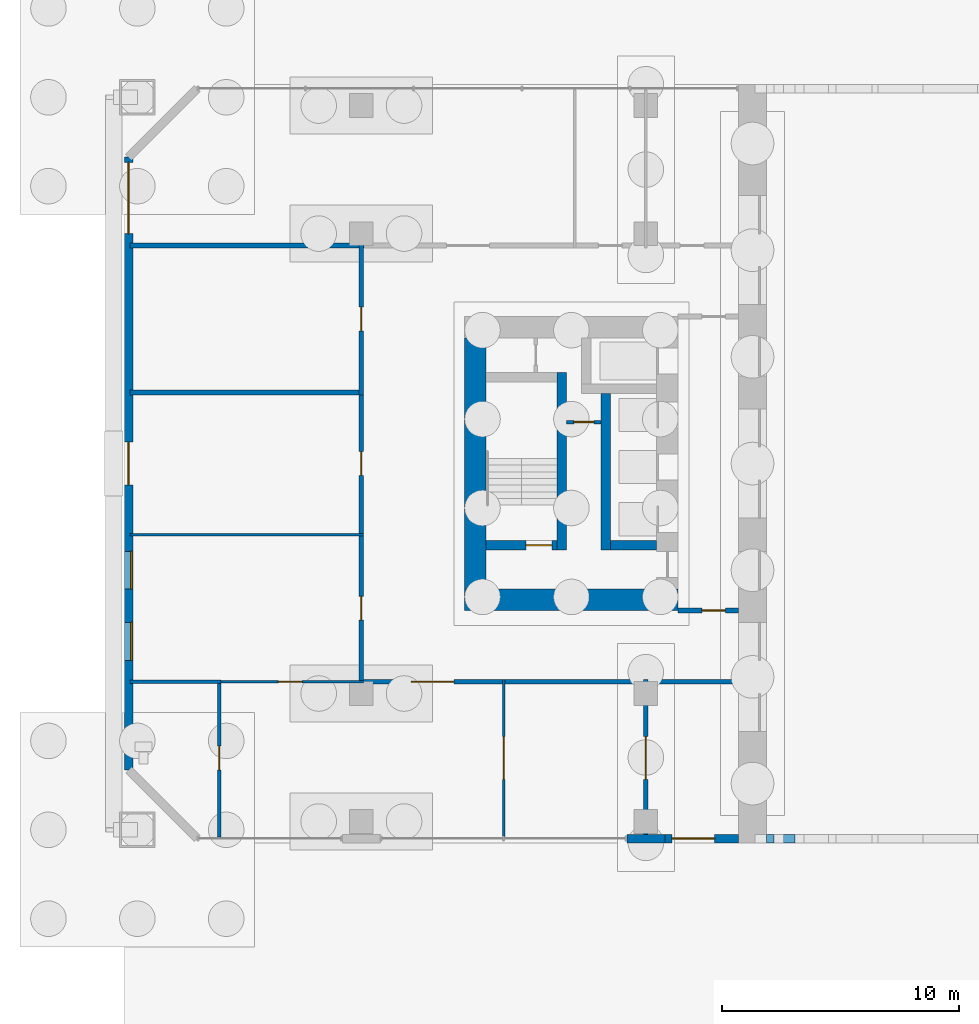
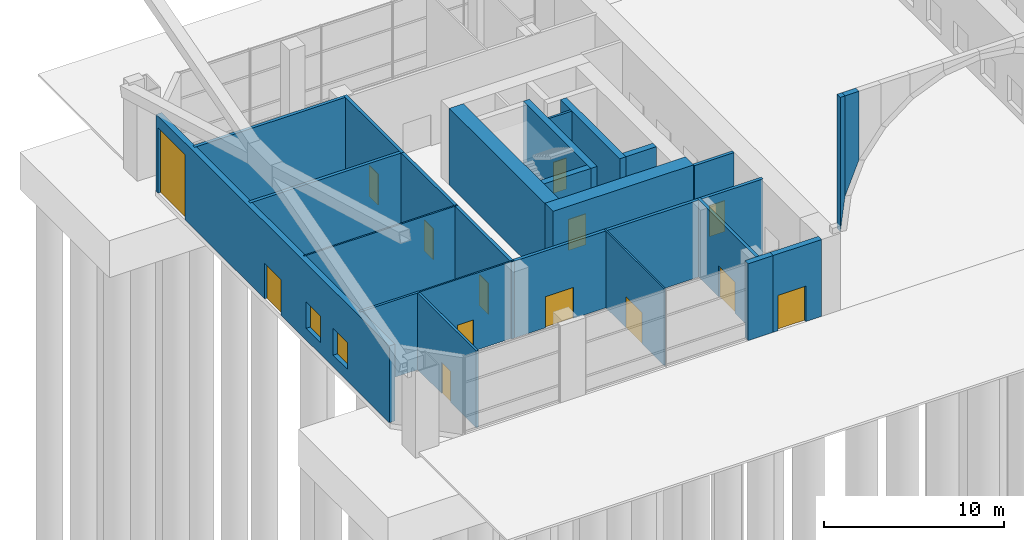
# One storey, part 13 of 26: 24 walls, 14 doors, 2 windows, 16 openings.
"""IFC4 building model written with IfcOpenShell, lengths in metres."""

from ifc_helpers import new_model, si_unit, direction, frame, frame_2d, origin, place, context, subcontext, project, spatial, polyline, rectangle, outline, extrude, material, layer, layer_set, type_object, element, fill, save


model = new_model("IFC4")

# Units and contexts
model_context = context("Model", 3, precision=1e-05, world=origin(), true_north=direction((0.0, 1.0)))
body_context = subcontext(model_context, "Body", "Model", "MODEL_VIEW")
ifc_project = project(units=[si_unit("LENGTHUNIT", "METRE"), si_unit("AREAUNIT", "SQUARE_METRE"), si_unit("VOLUMEUNIT", "CUBIC_METRE"), si_unit("PLANEANGLEUNIT", "RADIAN"), si_unit("MASSUNIT", "GRAM", prefix="KILO")], contexts=[model_context])

# Site, building, storey
site_placement = place(None, origin())
site = spatial("IfcSite", under=ifc_project, at=site_placement, CompositionType="ELEMENT")
building_placement = place(site_placement, origin())
building = spatial("IfcBuilding", under=site, at=building_placement, Name="Tuart Gate Housing", CompositionType="ELEMENT")
storey_placement = place(building_placement, origin())
storey = spatial("IfcBuildingStorey", under=building, at=storey_placement, Name="L00", CompositionType="ELEMENT", Elevation=0.0)

# Wall
ifc_material_1 = material(Name="Gypsum board on steel studs", Category="steel")
ifc_layer_1 = layer(ifc_material_1, 0.14990234375)
ifc_layer_set_1 = layer_set([ifc_layer_1], Name="Bathroom wall 150")
wall_type_1 = type_object("IfcWallType", Name="Bathroom wall 150", PredefinedType="PLUMBINGWALL", material=ifc_layer_set_1)
wall_1_placement = place(storey_placement, frame((18.239990234375, 60.800048828125, 0.0), z_axis=(0.0, 0.0, 1.0), x_axis=(1.0, 0.0, 0.0)))
element("IfcWall", 1, at=wall_1_placement, inside=storey, type_object=wall_type_1, Name="Bathroom wall 150", PredefinedType="PLUMBINGWALL", context=body_context, shape_type="SweptSolid", body=[
    extrude(rectangle(XDim=3.8369140625, YDim=0.14990234375, at=frame_2d((1.91845703125, 0.0))), origin(), (0.0, 0.0, 1.0), 5.199951171875),
])

# Wall, opening, door
wall_2_placement = place(storey_placement, frame((22.0, 54.239990234375, 0.0), z_axis=(0.0, 0.0, 1.0), x_axis=(0.0, 1.0, 0.0)))
wall_2 = element("IfcWall", 2, at=wall_2_placement, inside=storey, type_object=wall_type_1, Name="Bathroom wall 150", PredefinedType="PLUMBINGWALL", context=body_context, shape_type="SweptSolid", body=[
    extrude(rectangle(XDim=6.635009765625, YDim=0.14990234375, at=frame_2d((3.3173828125, 0.0))), origin(), (0.0, 0.0, 1.0), 5.199951171875),
])
opening_1_placement = place(wall_2_placement, frame((2.840087890625, 0.0, 0.0)))
opening_1 = element("IfcOpeningElement", 3, at=opening_1_placement, cuts=wall_2, Name="Opening D2745", PredefinedType="OPENING", context=body_context, shape_type="SweptSolid", body=[
    extrude(rectangle(XDim=1.0, YDim=2.10009765625, at=frame_2d((0.5, 1.050048828125))), frame((0.0, 0.0849609375, 0.0), z_axis=(0.0, -1.0, 0.0), x_axis=(1.0, 0.0, 0.0)), (0.0, 0.0, 1.0), 0.169921875),
])
ifc_material_2 = material(Name="Timber door leaf in steel frame", Category="steel")
door_type_1 = type_object("IfcDoorType", Name="Internal door 1000 RH", OperationType="SINGLE_SWING_RIGHT", PredefinedType="DOOR", material=ifc_material_2)
door_1_placement = place(opening_1_placement, origin())
door_1 = element("IfcDoor", 4, at=door_1_placement, inside=storey, type_object=door_type_1, Name="Internal door 1000", OperationType="SINGLE_SWING_RIGHT", OverallHeight=2.10009765625, OverallWidth=1.0, PredefinedType="DOOR", context=body_context, shape_type="SweptSolid", body=[
    extrude(rectangle(XDim=1.0, YDim=2.10009765625, at=frame_2d((0.5, 1.050048828125))), frame((0.0, 0.02490234375, 0.0), z_axis=(0.0, -1.0, 0.0), x_axis=(1.0, 0.0, 0.0)), (0.0, 0.0, 1.0), 0.050048828125),
])
fill(opening_1, door_1)

# Wall
ifc_material_3 = material(Name="Brick", Category="masonry")
ifc_layer_2 = layer(ifc_material_3, 0.360107421875)
ifc_layer_set_2 = layer_set([ifc_layer_2], Name="Brick pier and spandrel wall 360")
wall_type_2 = type_object("IfcWallType", Name="Brick pier and spandrel wall 360", PredefinedType="STANDARD", material=ifc_layer_set_2)
wall_3_placement = place(storey_placement, frame((39.199951171875, 54.179931640625, 0.0), z_axis=(0.0, 0.0, 1.0), x_axis=(1.0, 0.0, 0.0)))
element("IfcWall", 5, at=wall_3_placement, inside=storey, type_object=wall_type_2, Name="External wall A-S L00", PredefinedType="STANDARD", context=body_context, shape_type="SweptSolid", body=[
    extrude(rectangle(XDim=1.60009765625, YDim=0.360107421875, at=frame_2d((0.800048828125, 0.0))), origin(), (0.0, 0.0, 1.0), 5.199951171875),
])

# Wall, opening, door
wall_4_placement = place(storey_placement, frame((40.800048828125, 54.179931640625, 0.0), z_axis=(0.0, 0.0, 1.0), x_axis=(1.0, 0.0, 0.0)))
wall_4 = element("IfcWall", 6, at=wall_4_placement, inside=storey, type_object=wall_type_2, Name="External wall A-S L00", PredefinedType="STANDARD", context=body_context, shape_type="SweptSolid", body=[
    extrude(rectangle(XDim=3.099853515625, YDim=0.360107421875, at=frame_2d((1.5498046875, 0.0))), origin(), (0.0, 0.0, 1.0), 5.199951171875),
])
opening_2_placement = place(wall_4_placement, frame((0.300048828125, 0.0, 0.0)))
opening_2 = element("IfcOpeningElement", 7, at=opening_2_placement, cuts=wall_4, Name="Opening D2746", PredefinedType="OPENING", context=body_context, shape_type="SweptSolid", body=[
    extrude(rectangle(XDim=1.800048828125, YDim=2.39990234375, at=frame_2d((0.89990234375, 1.199951171875))), frame((0.0, 0.18994140625, 0.0), z_axis=(0.0, -1.0, 0.0), x_axis=(1.0, 0.0, 0.0)), (0.0, 0.0, 1.0), 0.380126953125),
])
ifc_material_4 = material(Name="Aluminium framed glazed door", Category="aluminium")
door_type_2 = type_object("IfcDoorType", Name="Sliding entrance door 1800 x 2400", OperationType="DOUBLE_DOOR_SLIDING", PredefinedType="DOOR", material=ifc_material_4)
door_2_placement = place(opening_2_placement, frame((1.800048828125, 0.0, 0.0), z_axis=(0.0, 0.0, 1.0), x_axis=(-1.0, 0.0, 0.0)))
door_2 = element("IfcDoor", 8, at=door_2_placement, inside=storey, type_object=door_type_2, Name="Leg A entrance lobby sliding door", OperationType="DOUBLE_DOOR_SLIDING", OverallHeight=2.39990234375, OverallWidth=1.800048828125, PredefinedType="DOOR", context=body_context, shape_type="SweptSolid", body=[
    extrude(rectangle(XDim=1.800048828125, YDim=2.39990234375, at=frame_2d((0.900146484375, 1.199951171875))), frame((0.0, 0.025146484375, 0.0), z_axis=(0.0, -1.0, 0.0), x_axis=(1.0, 0.0, 0.0)), (0.0, 0.0, 1.0), 0.050048828125),
])
fill(opening_2, door_2)

# Wall, openings, doors, windows
wall_5_placement = place(storey_placement, frame((18.179931640625, 82.92529296875, 0.0), z_axis=(0.0, 0.0, 1.0), x_axis=(0.0, -1.0, 0.0)))
wall_5 = element("IfcWall", 9, at=wall_5_placement, inside=storey, type_object=wall_type_2, Name="External wall A-W L00", PredefinedType="STANDARD", context=body_context, shape_type="SweptSolid", body=[
    extrude(rectangle(XDim=25.850830078125, YDim=0.360107421875, at=frame_2d((12.92529296875, 0.0))), origin(), (0.0, 0.0, 1.0), 5.199951171875),
])
opening_3_placement = place(wall_5_placement, frame((16.62548828125, 0.0, 0.800048828125)))
opening_3 = element("IfcOpeningElement", 10, at=opening_3_placement, cuts=wall_5, Name="Opening W1", PredefinedType="OPENING", context=body_context, shape_type="SweptSolid", body=[
    extrude(rectangle(XDim=1.60009765625, YDim=1.800048828125, at=frame_2d((0.800048828125, 0.89990234375))), frame((0.0, 0.18994140625, 0.0), z_axis=(0.0, -1.0, 0.0), x_axis=(1.0, 0.0, 0.0)), (0.0, 0.0, 1.0), 0.380126953125),
])
opening_4_placement = place(wall_5_placement, frame((19.62548828125, 0.0, 0.800048828125)))
opening_4 = element("IfcOpeningElement", 11, at=opening_4_placement, cuts=wall_5, Name="Opening W1", PredefinedType="OPENING", context=body_context, shape_type="SweptSolid", body=[
    extrude(rectangle(XDim=1.60009765625, YDim=1.800048828125, at=frame_2d((0.800048828125, 0.89990234375))), frame((0.0, 0.18994140625, 0.0), z_axis=(0.0, -1.0, 0.0), x_axis=(1.0, 0.0, 0.0)), (0.0, 0.0, 1.0), 0.380126953125),
])
opening_5_placement = place(wall_5_placement, frame((0.225341796875, 0.0, 0.0)))
opening_5 = element("IfcOpeningElement", 12, at=opening_5_placement, cuts=wall_5, Name="Opening D2727", PredefinedType="OPENING", context=body_context, shape_type="SweptSolid", body=[
    extrude(rectangle(XDim=3.0, YDim=4.39990234375, at=frame_2d((1.5, 2.199951171875))), frame((0.0, 0.18994140625, 0.0), z_axis=(0.0, -1.0, 0.0), x_axis=(1.0, 0.0, 0.0)), (0.0, 0.0, 1.0), 0.380126953125),
])
opening_6_placement = place(wall_5_placement, frame((12.025390625, 0.0, 0.0)))
opening_6 = element("IfcOpeningElement", 13, at=opening_6_placement, cuts=wall_5, Name="Opening D2726", PredefinedType="OPENING", context=body_context, shape_type="SweptSolid", body=[
    extrude(rectangle(XDim=1.800048828125, YDim=2.39990234375, at=frame_2d((0.89990234375, 1.199951171875))), frame((0.0, 0.18994140625, 0.0), z_axis=(0.0, -1.0, 0.0), x_axis=(1.0, 0.0, 0.0)), (0.0, 0.0, 1.0), 0.380126953125),
])
ifc_material_5 = material(Name="Aluminium framed glazed door", Category="aluminium")
door_type_3 = type_object("IfcDoorType", Name="Entrance door 1800 x 2400", OperationType="DOUBLE_DOOR_SINGLE_SWING", PredefinedType="DOOR", material=ifc_material_5)
door_3_placement = place(opening_6_placement, frame((1.800048828125, 0.0, 0.0), z_axis=(0.0, 0.0, 1.0), x_axis=(-1.0, 0.0, 0.0)))
door_3 = element("IfcDoor", 14, at=door_3_placement, inside=storey, type_object=door_type_3, Name="Leg A bicycle store door", OperationType="DOUBLE_DOOR_SINGLE_SWING", OverallHeight=2.39990234375, OverallWidth=1.800048828125, PredefinedType="DOOR", context=body_context, shape_type="SweptSolid", body=[
    extrude(rectangle(XDim=1.800048828125, YDim=2.39990234375, at=frame_2d((0.900146484375, 1.199951171875))), frame((0.0, 0.025146484375, 0.0), z_axis=(0.0, -1.0, 0.0), x_axis=(1.0, 0.0, 0.0)), (0.0, 0.0, 1.0), 0.050048828125),
])
fill(opening_6, door_3)
ifc_material_6 = material(Name="Aluminium frame with clear glass", Category="aluminium")
window_type = type_object("IfcWindowType", Name="Punched window 1600 x 1800", PartitioningType="SINGLE_PANEL", PredefinedType="WINDOW", material=ifc_material_6)
window_1_placement = place(opening_3_placement, origin())
window_1 = element("IfcWindow", 15, at=window_1_placement, inside=storey, type_object=window_type, Name="Window W1", OverallHeight=1.800048828125, OverallWidth=1.60009765625, PartitioningType="SINGLE_PANEL", PredefinedType="WINDOW", context=body_context, shape_type="SweptSolid", body=[
    extrude(rectangle(XDim=1.60009765625, YDim=1.800048828125, at=frame_2d((0.800048828125, 0.89990234375))), frame((0.0, 0.150146484375, 0.0), z_axis=(0.0, -1.0, 0.0), x_axis=(1.0, 0.0, 0.0)), (0.0, 0.0, 1.0), 0.06005859375),
])
fill(opening_3, window_1)
window_2_placement = place(opening_4_placement, origin())
window_2 = element("IfcWindow", 16, at=window_2_placement, inside=storey, type_object=window_type, Name="Window W1", OverallHeight=1.800048828125, OverallWidth=1.60009765625, PartitioningType="SINGLE_PANEL", PredefinedType="WINDOW", context=body_context, shape_type="SweptSolid", body=[
    extrude(rectangle(XDim=1.60009765625, YDim=1.800048828125, at=frame_2d((0.800048828125, 0.89990234375))), frame((0.0, 0.150146484375, 0.0), z_axis=(0.0, -1.0, 0.0), x_axis=(1.0, 0.0, 0.0)), (0.0, 0.0, 1.0), 0.06005859375),
])
fill(opening_4, window_2)
ifc_material_7 = material(Name="Galvanised steel slats", Category="steel")
door_type_4 = type_object("IfcDoorType", Name="Roller shutter 3000 x 4400", OperationType="ROLLINGUP", PredefinedType="GATE", material=ifc_material_7)
door_4_placement = place(opening_5_placement, frame((3.0, 0.0, 0.0), z_axis=(0.0, 0.0, 1.0), x_axis=(-1.0, 0.0, 0.0)))
door_4 = element("IfcDoor", 17, at=door_4_placement, inside=storey, type_object=door_type_4, Name="Leg A servicing bay vehicle door", OperationType="ROLLINGUP", OverallHeight=4.39990234375, OverallWidth=3.0, PredefinedType="GATE", context=body_context, shape_type="SweptSolid", body=[
    extrude(rectangle(XDim=3.0, YDim=4.39990234375, at=frame_2d((1.5, 2.199951171875))), frame((0.0, 0.025146484375, 0.0), z_axis=(0.0, -1.0, 0.0), x_axis=(1.0, 0.0, 0.0)), (0.0, 0.0, 1.0), 0.050048828125),
])
fill(opening_5, door_4)

# Walls
wall_6_placement = place(storey_placement, frame((45.10009765625, 54.179931640625, 5.300048828125), z_axis=(0.0, 0.0, 1.0), x_axis=(1.0, 0.0, 0.0)))
element("IfcWall", 18, at=wall_6_placement, inside=storey, type_object=wall_type_2, Name="Arch spandrel A-S", PredefinedType="STANDARD", context=body_context, shape_type="SweptSolid", body=[
    extrude(outline(polyline([(0.0, 0.0), (0.30322265625, 2.303466796875), (0.30322265625, 9.099853515625), (0.0, 9.099853515625), (0.0, 0.0)])), frame((0.0, 0.18017578125, 0.0), z_axis=(0.0, -1.0, 0.0), x_axis=(1.0, 0.0, 0.0)), (0.0, 0.0, 1.0), 0.360107421875),
])
wall_7_placement = place(storey_placement, frame((45.4033203125, 54.179931640625, 7.603515625), z_axis=(0.0, 0.0, 1.0), x_axis=(1.0, 0.0, 0.0)))
element("IfcWall", 19, at=wall_7_placement, inside=storey, type_object=wall_type_2, Name="Arch spandrel A-S", PredefinedType="STANDARD", context=body_context, shape_type="SweptSolid", body=[
    extrude(outline(polyline([(0.0, 0.0), (0.88916015625, 2.146484375), (0.88916015625, 6.79638671875), (0.0, 6.79638671875), (0.0, 0.0)])), frame((0.0, 0.18017578125, 0.0), z_axis=(0.0, -1.0, 0.0), x_axis=(1.0, 0.0, 0.0)), (0.0, 0.0, 1.0), 0.360107421875),
])

# Wall, opening, door
ifc_material_8 = material(Name="Plasterboard partition")
ifc_layer_3 = layer(ifc_material_8, 0.14990234375)
ifc_layer_set_3 = layer_set([ifc_layer_3], Name="Core partition 150")
wall_type_3 = type_object("IfcWallType", Name="Core partition 150", PredefinedType="PARTITIONING", material=ifc_layer_set_3)
wall_8_placement = place(storey_placement, frame((38.110107421875, 71.75, 0.0), z_axis=(0.0, 0.0, 1.0), x_axis=(-1.0, 0.0, 0.0)))
wall_8 = element("IfcWall", 20, at=wall_8_placement, inside=storey, type_object=wall_type_3, Name="Core partition AK.3", PredefinedType="PARTITIONING", context=body_context, shape_type="SweptSolid", body=[
    extrude(rectangle(XDim=1.4501953125, YDim=0.14990234375, at=frame_2d((0.72509765625, 0.0))), origin(), (0.0, 0.0, 1.0), 5.199951171875),
])
opening_7_placement = place(wall_8_placement, frame((0.300048828125, 0.0, 0.0)))
opening_7 = element("IfcOpeningElement", 21, at=opening_7_placement, cuts=wall_8, Name="Opening D2725", PredefinedType="OPENING", context=body_context, shape_type="SweptSolid", body=[
    extrude(rectangle(XDim=0.85009765625, YDim=2.10009765625, at=frame_2d((0.425048828125, 1.050048828125))), frame((0.0, 0.0849609375, 0.0), z_axis=(0.0, -1.0, 0.0), x_axis=(1.0, 0.0, 0.0)), (0.0, 0.0, 1.0), 0.169921875),
])
ifc_material_9 = material(Name="Steel fire door", Category="steel")
door_type_5 = type_object("IfcDoorType", Name="Riser door 850 x 2100 RH", OperationType="SINGLE_SWING_RIGHT", PredefinedType="DOOR", material=ifc_material_9)
door_5_placement = place(opening_7_placement, frame((0.85009765625, 0.0, 0.0), z_axis=(0.0, 0.0, 1.0), x_axis=(-1.0, 0.0, 0.0)))
door_5 = element("IfcDoor", 22, at=door_5_placement, inside=storey, type_object=door_type_5, Name="Service room door AK.E1", OperationType="SINGLE_SWING_RIGHT", OverallHeight=2.10009765625, OverallWidth=0.85009765625, PredefinedType="DOOR", context=body_context, shape_type="SweptSolid", body=[
    extrude(rectangle(XDim=0.85009765625, YDim=2.10009765625, at=frame_2d((0.425048828125, 1.050048828125))), frame((0.0, 0.025146484375, 0.0), z_axis=(0.0, -1.0, 0.0), x_axis=(1.0, 0.0, 0.0)), (0.0, 0.0, 1.0), 0.050048828125),
])
fill(opening_7, door_5)

# Wall
ifc_material_10 = material(Name="Concrete C60", Category="concrete")
ifc_layer_4 = layer(ifc_material_10, 0.39990234375)
ifc_layer_set_4 = layer_set([ifc_layer_4], Name="Core wall 400 C60")
wall_type_4 = type_object("IfcWallType", Name="Core wall 400 C60", PredefinedType="SHEAR", material=ifc_layer_set_4)
wall_9_placement = place(storey_placement, frame((40.4599609375, 66.550048828125, 0.0), z_axis=(0.0, 0.0, 1.0), x_axis=(-1.0, 0.0, 0.0)))
element("IfcWall", 23, at=wall_9_placement, inside=storey, type_object=wall_type_4, Name="Core wall AK.4", PredefinedType="SHEAR", context=body_context, shape_type="SweptSolid", body=[
    extrude(rectangle(XDim=1.949951171875, YDim=0.39990234375, at=frame_2d((0.97509765625, 0.0))), origin(), (0.0, 0.0, 1.0), 5.199951171875),
])

# Wall, opening, door
wall_10_placement = place(storey_placement, frame((36.260009765625, 66.550048828125, 0.0), z_axis=(0.0, 0.0, 1.0), x_axis=(-1.0, 0.0, 0.0)))
wall_10 = element("IfcWall", 24, at=wall_10_placement, inside=storey, type_object=wall_type_4, Name="Core wall AK.5", PredefinedType="SHEAR", context=body_context, shape_type="SweptSolid", body=[
    extrude(rectangle(XDim=3.0, YDim=0.39990234375, at=frame_2d((1.5, 0.0))), origin(), (0.0, 0.0, 1.0), 5.199951171875),
])
opening_8_placement = place(wall_10_placement, frame((0.219970703125, 0.0, 0.0)))
opening_8 = element("IfcOpeningElement", 25, at=opening_8_placement, cuts=wall_10, Name="Opening D2735", PredefinedType="OPENING", context=body_context, shape_type="SweptSolid", body=[
    extrude(rectangle(XDim=1.10009765625, YDim=2.10009765625, at=frame_2d((0.550048828125, 1.050048828125))), frame((0.0, 0.2099609375, 0.0), z_axis=(0.0, -1.0, 0.0), x_axis=(1.0, 0.0, 0.0)), (0.0, 0.0, 1.0), 0.419921875),
])
ifc_material_11 = material(Name="Steel fire door", Category="steel")
door_type_6 = type_object("IfcDoorType", Name="Stair door 1100 x 2100 RH", OperationType="SINGLE_SWING_RIGHT", PredefinedType="DOOR", material=ifc_material_11)
door_6_placement = place(opening_8_placement, frame((1.10009765625, 0.0, 0.0), z_axis=(0.0, 0.0, 1.0), x_axis=(-1.0, 0.0, 0.0)))
door_6 = element("IfcDoor", 26, at=door_6_placement, inside=storey, type_object=door_type_6, Name="Stair door AK.SD", OperationType="SINGLE_SWING_RIGHT", OverallHeight=2.10009765625, OverallWidth=1.10009765625, PredefinedType="DOOR", context=body_context, shape_type="SweptSolid", body=[
    extrude(rectangle(XDim=1.10009765625, YDim=2.10009765625, at=frame_2d((0.550048828125, 1.050048828125))), frame((0.0, 0.025146484375, 0.0), z_axis=(0.0, -1.0, 0.0), x_axis=(1.0, 0.0, 0.0)), (0.0, 0.0, 1.0), 0.050048828125),
])
fill(opening_8, door_6)

# Walls
wall_11_placement = place(storey_placement, frame((38.31005859375, 72.949951171875, 0.0), z_axis=(0.0, 0.0, 1.0), x_axis=(0.0, -1.0, 0.0)))
element("IfcWall", 27, at=wall_11_placement, inside=storey, type_object=wall_type_4, Name="Core wall AK.6", PredefinedType="SHEAR", context=body_context, shape_type="SweptSolid", body=[
    extrude(rectangle(XDim=6.599853515625, YDim=0.39990234375, at=frame_2d((3.2998046875, 0.0))), origin(), (0.0, 0.0, 1.0), 5.199951171875),
])
wall_12_placement = place(storey_placement, frame((36.4599609375, 73.85009765625, 0.0), z_axis=(0.0, 0.0, 1.0), x_axis=(0.0, -1.0, 0.0)))
element("IfcWall", 28, at=wall_12_placement, inside=storey, type_object=wall_type_4, Name="Core wall AK.8", PredefinedType="SHEAR", context=body_context, shape_type="SweptSolid", body=[
    extrude(rectangle(XDim=7.5, YDim=0.39990234375, at=frame_2d((3.75, 0.0))), origin(), (0.0, 0.0, 1.0), 5.199951171875),
])
ifc_material_12 = material(Name="Concrete C60", Category="concrete")
ifc_layer_5 = layer(ifc_material_12, 0.89990234375)
ifc_layer_set_5 = layer_set([ifc_layer_5], Name="Core wall 900 C60")
wall_type_5 = type_object("IfcWallType", Name="Core wall 900 C60", PredefinedType="SHEAR", material=ifc_layer_set_5)
wall_13_placement = place(storey_placement, frame((32.81005859375, 75.300048828125, 0.0), z_axis=(0.0, 0.0, 1.0), x_axis=(0.0, -1.0, 0.0)))
element("IfcWall", 29, at=wall_13_placement, inside=storey, type_object=wall_type_5, Name="Core wall AK back", PredefinedType="SHEAR", context=body_context, shape_type="SweptSolid", body=[
    extrude(rectangle(XDim=10.60009765625, YDim=0.89990234375, at=frame_2d((5.300048828125, 0.0))), origin(), (0.0, 0.0, 1.0), 5.199951171875),
])
wall_14_placement = place(storey_placement, frame((41.360107421875, 64.25, 0.0), z_axis=(0.0, 0.0, 1.0), x_axis=(-1.0, 0.0, 0.0)))
element("IfcWall", 30, at=wall_14_placement, inside=storey, type_object=wall_type_5, Name="Core wall AK north", PredefinedType="SHEAR", context=body_context, shape_type="SweptSolid", body=[
    extrude(rectangle(XDim=9.0, YDim=0.89990234375, at=frame_2d((4.5, 0.0))), origin(), (0.0, 0.0, 1.0), 5.199951171875),
])

# Wall, opening, door
ifc_material_13 = material(Name="Concrete masonry 15 MPa", Category="masonry")
ifc_layer_6 = layer(ifc_material_13, 0.199951171875)
ifc_layer_set_6 = layer_set([ifc_layer_6], Name="Corridor wall masonry 200")
wall_type_6 = type_object("IfcWallType", Name="Corridor wall masonry 200", PredefinedType="PARTITIONING", material=ifc_layer_set_6)
wall_15_placement = place(storey_placement, frame((27.89794921875, 60.800048828125, 0.0), z_axis=(0.0, 0.0, 1.0), x_axis=(1.0, 0.0, 0.0)))
wall_15 = element("IfcWall", 31, at=wall_15_placement, inside=storey, type_object=wall_type_6, Name="Corridor wall masonry 200", PredefinedType="PARTITIONING", context=body_context, shape_type="SweptSolid", body=[
    extrude(rectangle(XDim=16.1220703125, YDim=0.199951171875, at=frame_2d((8.06103515625, 0.0))), origin(), (0.0, 0.0, 1.0), 5.199951171875),
])
opening_9_placement = place(wall_15_placement, frame((2.200927734375, 0.0, 0.0)))
opening_9 = element("IfcOpeningElement", 32, at=opening_9_placement, cuts=wall_15, Name="Opening D2739", PredefinedType="OPENING", context=body_context, shape_type="SweptSolid", body=[
    extrude(rectangle(XDim=1.800048828125, YDim=2.10009765625, at=frame_2d((0.89990234375, 1.050048828125))), frame((0.0, 0.10986328125, 0.0), z_axis=(0.0, -1.0, 0.0), x_axis=(1.0, 0.0, 0.0)), (0.0, 0.0, 1.0), 0.219970703125),
])
ifc_material_14 = material(Name="Timber door leaf in steel frame", Category="steel")
door_type_7 = type_object("IfcDoorType", Name="Double door 1800", OperationType="DOUBLE_DOOR_SINGLE_SWING", PredefinedType="DOOR", material=ifc_material_14)
door_7_placement = place(opening_9_placement, origin())
door_7 = element("IfcDoor", 33, at=door_7_placement, inside=storey, type_object=door_type_7, Name="Double door 1800", OperationType="DOUBLE_DOOR_SINGLE_SWING", OverallHeight=2.10009765625, OverallWidth=1.800048828125, PredefinedType="DOOR", context=body_context, shape_type="SweptSolid", body=[
    extrude(rectangle(XDim=1.800048828125, YDim=2.10009765625, at=frame_2d((0.89990234375, 1.050048828125))), frame((0.0, 0.02490234375, 0.0), z_axis=(0.0, -1.0, 0.0), x_axis=(1.0, 0.0, 0.0)), (0.0, 0.0, 1.0), 0.050048828125),
])
fill(opening_9, door_7)

# Wall, openings, doors
wall_16_placement = place(storey_placement, frame((28.0, 60.699951171875, 0.0), z_axis=(0.0, 0.0, 1.0), x_axis=(0.0, 1.0, 0.0)))
wall_16 = element("IfcWall", 34, at=wall_16_placement, inside=storey, type_object=wall_type_6, Name="Corridor wall masonry 200", PredefinedType="PARTITIONING", context=body_context, shape_type="SweptSolid", body=[
    extrude(rectangle(XDim=12.400146484375, YDim=0.199951171875, at=frame_2d((6.2001953125, 0.0))), origin(), (0.0, 0.0, 1.0), 5.199951171875),
])
opening_10_placement = place(wall_16_placement, frame((2.699951171875, 0.0, 0.0)))
opening_10 = element("IfcOpeningElement", 35, at=opening_10_placement, cuts=wall_16, Name="Opening D2733", PredefinedType="OPENING", context=body_context, shape_type="SweptSolid", body=[
    extrude(rectangle(XDim=1.0, YDim=2.10009765625, at=frame_2d((0.5, 1.050048828125))), frame((0.0, 0.10986328125, 0.0), z_axis=(0.0, -1.0, 0.0), x_axis=(1.0, 0.0, 0.0)), (0.0, 0.0, 1.0), 0.219970703125),
])
opening_11_placement = place(wall_16_placement, frame((8.800048828125, 0.0, 0.0)))
opening_11 = element("IfcOpeningElement", 36, at=opening_11_placement, cuts=wall_16, Name="Opening D2734", PredefinedType="OPENING", context=body_context, shape_type="SweptSolid", body=[
    extrude(rectangle(XDim=1.0, YDim=2.10009765625, at=frame_2d((0.5, 1.050048828125))), frame((0.0, 0.10986328125, 0.0), z_axis=(0.0, -1.0, 0.0), x_axis=(1.0, 0.0, 0.0)), (0.0, 0.0, 1.0), 0.219970703125),
])
ifc_material_15 = material(Name="Timber door leaf in steel frame", Category="steel")
door_type_8 = type_object("IfcDoorType", Name="Fire door 1000", OperationType="SINGLE_SWING_LEFT", PredefinedType="DOOR", material=ifc_material_15)
door_8_placement = place(opening_10_placement, origin())
door_8 = element("IfcDoor", 37, at=door_8_placement, inside=storey, type_object=door_type_8, Name="Fire door 1000", OperationType="SINGLE_SWING_LEFT", OverallHeight=2.10009765625, OverallWidth=1.0, PredefinedType="DOOR", context=body_context, shape_type="SweptSolid", body=[
    extrude(rectangle(XDim=1.0, YDim=2.10009765625, at=frame_2d((0.5, 1.050048828125))), frame((0.0, 0.02490234375, 0.0), z_axis=(0.0, -1.0, 0.0), x_axis=(1.0, 0.0, 0.0)), (0.0, 0.0, 1.0), 0.050048828125),
])
fill(opening_10, door_8)
door_9_placement = place(opening_11_placement, origin())
door_9 = element("IfcDoor", 38, at=door_9_placement, inside=storey, type_object=door_type_8, Name="Fire door 1000", OperationType="SINGLE_SWING_LEFT", OverallHeight=2.10009765625, OverallWidth=1.0, PredefinedType="DOOR", context=body_context, shape_type="SweptSolid", body=[
    extrude(rectangle(XDim=1.0, YDim=2.10009765625, at=frame_2d((0.5, 1.050048828125))), frame((0.0, 0.02490234375, 0.0), z_axis=(0.0, -1.0, 0.0), x_axis=(1.0, 0.0, 0.0)), (0.0, 0.0, 1.0), 0.050048828125),
])
fill(opening_11, door_9)

# Wall, opening, door
wall_17_placement = place(storey_placement, frame((40.0, 54.239990234375, 0.0), z_axis=(0.0, 0.0, 1.0), x_axis=(0.0, 1.0, 0.0)))
wall_17 = element("IfcWall", 39, at=wall_17_placement, inside=storey, type_object=wall_type_6, Name="Corridor wall masonry 200", PredefinedType="PARTITIONING", context=body_context, shape_type="SweptSolid", body=[
    extrude(rectangle(XDim=6.659912109375, YDim=0.199951171875, at=frame_2d((3.330078125, 0.0))), origin(), (0.0, 0.0, 1.0), 5.199951171875),
])
opening_12_placement = place(wall_17_placement, frame((2.43994140625, 0.0, 0.0)))
opening_12 = element("IfcOpeningElement", 40, at=opening_12_placement, cuts=wall_17, Name="Opening D2744", PredefinedType="OPENING", context=body_context, shape_type="SweptSolid", body=[
    extrude(rectangle(XDim=1.800048828125, YDim=2.10009765625, at=frame_2d((0.89990234375, 1.050048828125))), frame((0.0, 0.10986328125, 0.0), z_axis=(0.0, -1.0, 0.0), x_axis=(1.0, 0.0, 0.0)), (0.0, 0.0, 1.0), 0.219970703125),
])
door_10_placement = place(opening_12_placement, origin())
door_10 = element("IfcDoor", 41, at=door_10_placement, inside=storey, type_object=door_type_7, Name="Double door 1800", OperationType="DOUBLE_DOOR_SINGLE_SWING", OverallHeight=2.10009765625, OverallWidth=1.800048828125, PredefinedType="DOOR", context=body_context, shape_type="SweptSolid", body=[
    extrude(rectangle(XDim=1.800048828125, YDim=2.10009765625, at=frame_2d((0.89990234375, 1.050048828125))), frame((0.0, 0.02490234375, 0.0), z_axis=(0.0, -1.0, 0.0), x_axis=(1.0, 0.0, 0.0)), (0.0, 0.0, 1.0), 0.050048828125),
])
fill(opening_12, door_10)

ifc_material_16 = material(Name="Concrete masonry 15 MPa", Category="masonry")
ifc_layer_7 = layer(ifc_material_16, 0.199951171875)
ifc_layer_set_7 = layer_set([ifc_layer_7], Name="Enclosure wall masonry 200")
wall_type_7 = type_object("IfcWallType", Name="Enclosure wall masonry 200", PredefinedType="PARTITIONING", material=ifc_layer_set_7)
wall_18_placement = place(storey_placement, frame((41.360107421875, 63.800048828125, 0.0), z_axis=(0.0, 0.0, 1.0), x_axis=(1.0, 0.0, 0.0)))
wall_18 = element("IfcWall", 42, at=wall_18_placement, inside=storey, type_object=wall_type_7, Name="Enclosure wall masonry 200", PredefinedType="PARTITIONING", context=body_context, shape_type="SweptSolid", body=[
    extrude(rectangle(XDim=2.539794921875, YDim=0.199951171875, at=frame_2d((1.27001953125, 0.0))), origin(), (0.0, 0.0, 1.0), 5.199951171875),
])
opening_13_placement = place(wall_18_placement, frame((1.0, 0.0, 0.0)))
opening_13 = element("IfcOpeningElement", 43, at=opening_13_placement, cuts=wall_18, Name="Opening D2736", PredefinedType="OPENING", context=body_context, shape_type="SweptSolid", body=[
    extrude(rectangle(XDim=1.0, YDim=2.10009765625, at=frame_2d((0.5, 1.050048828125))), frame((0.0, 0.10986328125, 0.0), z_axis=(0.0, -1.0, 0.0), x_axis=(1.0, 0.0, 0.0)), (0.0, 0.0, 1.0), 0.219970703125),
])
ifc_material_17 = material(Name="Timber door leaf in steel frame", Category="steel")
door_type_9 = type_object("IfcDoorType", Name="Lobby door 1000", OperationType="SINGLE_SWING_LEFT", PredefinedType="DOOR", material=ifc_material_17)
door_11_placement = place(opening_13_placement, frame((1.0, 0.0, 0.0), z_axis=(0.0, 0.0, 1.0), x_axis=(-1.0, 0.0, 0.0)))
door_11 = element("IfcDoor", 44, at=door_11_placement, inside=storey, type_object=door_type_9, Name="Lobby door 1000", OperationType="SINGLE_SWING_LEFT", OverallHeight=2.10009765625, OverallWidth=1.0, PredefinedType="DOOR", context=body_context, shape_type="SweptSolid", body=[
    extrude(rectangle(XDim=1.0, YDim=2.10009765625, at=frame_2d((0.5, 1.050048828125))), frame((0.0, 0.025146484375, 0.0), z_axis=(0.0, -1.0, 0.0), x_axis=(1.0, 0.0, 0.0)), (0.0, 0.0, 1.0), 0.050048828125),
])
fill(opening_13, door_11)

# Walls
wall_19_placement = place(storey_placement, frame((18.239990234375, 73.0, 0.0), z_axis=(0.0, 0.0, 1.0), x_axis=(1.0, 0.0, 0.0)))
element("IfcWall", 45, at=wall_19_placement, inside=storey, type_object=wall_type_7, Name="Enclosure wall masonry 200", PredefinedType="PARTITIONING", context=body_context, shape_type="SweptSolid", body=[
    extrude(rectangle(XDim=9.860107421875, YDim=0.199951171875, at=frame_2d((4.93017578125, 0.0))), origin(), (0.0, 0.0, 1.0), 5.199951171875),
])
wall_20_placement = place(storey_placement, frame((18.239990234375, 79.199951171875, 0.0), z_axis=(0.0, 0.0, 1.0), x_axis=(1.0, 0.0, 0.0)))
element("IfcWall", 46, at=wall_20_placement, inside=storey, type_object=wall_type_7, Name="Enclosure wall masonry 200", PredefinedType="PARTITIONING", context=body_context, shape_type="SweptSolid", body=[
    extrude(rectangle(XDim=9.862060546875, YDim=0.199951171875, at=frame_2d((4.93115234375, 0.0))), origin(), (0.0, 0.0, 1.0), 5.199951171875),
])

# Wall, opening, door
wall_21_placement = place(storey_placement, frame((28.0, 72.89990234375, 0.0), z_axis=(0.0, 0.0, 1.0), x_axis=(0.0, 1.0, 0.0)))
wall_21 = element("IfcWall", 47, at=wall_21_placement, inside=storey, type_object=wall_type_7, Name="Enclosure wall masonry 200", PredefinedType="PARTITIONING", context=body_context, shape_type="SweptSolid", body=[
    extrude(rectangle(XDim=6.400146484375, YDim=0.199951171875, at=frame_2d((3.2001953125, 0.0))), origin(), (0.0, 0.0, 1.0), 5.199951171875),
])
opening_14_placement = place(wall_21_placement, frame((2.699951171875, 0.0, 0.0)))
opening_14 = element("IfcOpeningElement", 48, at=opening_14_placement, cuts=wall_21, Name="Opening D2722", PredefinedType="OPENING", context=body_context, shape_type="SweptSolid", body=[
    extrude(rectangle(XDim=1.0, YDim=2.10009765625, at=frame_2d((0.5, 1.050048828125))), frame((0.0, 0.10986328125, 0.0), z_axis=(0.0, -1.0, 0.0), x_axis=(1.0, 0.0, 0.0)), (0.0, 0.0, 1.0), 0.219970703125),
])
door_12_placement = place(opening_14_placement, origin())
door_12 = element("IfcDoor", 49, at=door_12_placement, inside=storey, type_object=door_type_8, Name="Fire door 1000", OperationType="SINGLE_SWING_LEFT", OverallHeight=2.10009765625, OverallWidth=1.0, PredefinedType="DOOR", context=body_context, shape_type="SweptSolid", body=[
    extrude(rectangle(XDim=1.0, YDim=2.10009765625, at=frame_2d((0.5, 1.050048828125))), frame((0.0, 0.02490234375, 0.0), z_axis=(0.0, -1.0, 0.0), x_axis=(1.0, 0.0, 0.0)), (0.0, 0.0, 1.0), 0.050048828125),
])
fill(opening_14, door_12)

ifc_material_18 = material(Name="Gypsum board on steel studs", Category="steel")
ifc_layer_8 = layer(ifc_material_18, 0.10009765625)
ifc_layer_set_8 = layer_set([ifc_layer_8], Name="Partition 100")
wall_type_8 = type_object("IfcWallType", Name="Partition 100", PredefinedType="PARTITIONING", material=ifc_layer_set_8)
wall_22_placement = place(storey_placement, frame((21.923095703125, 60.800048828125, 0.0), z_axis=(0.0, 0.0, 1.0), x_axis=(1.0, 0.0, 0.0)))
wall_22 = element("IfcWall", 50, at=wall_22_placement, inside=storey, type_object=wall_type_8, Name="Partition 100", PredefinedType="PARTITIONING", context=body_context, shape_type="SweptSolid", body=[
    extrude(rectangle(XDim=6.177001953125, YDim=0.10009765625, at=frame_2d((3.08837890625, 0.0))), origin(), (0.0, 0.0, 1.0), 5.199951171875),
])
opening_15_placement = place(wall_22_placement, frame((2.575927734375, 0.0, 0.0)))
opening_15 = element("IfcOpeningElement", 51, at=opening_15_placement, cuts=wall_22, Name="Opening D2738", PredefinedType="OPENING", context=body_context, shape_type="SweptSolid", body=[
    extrude(rectangle(XDim=1.0, YDim=2.10009765625, at=frame_2d((0.5, 1.050048828125))), frame((0.0, 0.06005859375, 0.0), z_axis=(0.0, -1.0, 0.0), x_axis=(1.0, 0.0, 0.0)), (0.0, 0.0, 1.0), 0.1201171875),
])
door_13_placement = place(opening_15_placement, origin())
door_13 = element("IfcDoor", 52, at=door_13_placement, inside=storey, type_object=door_type_1, Name="Internal door 1000", OperationType="SINGLE_SWING_RIGHT", OverallHeight=2.10009765625, OverallWidth=1.0, PredefinedType="DOOR", context=body_context, shape_type="SweptSolid", body=[
    extrude(rectangle(XDim=1.0, YDim=2.10009765625, at=frame_2d((0.5, 1.050048828125))), frame((0.0, 0.02490234375, 0.0), z_axis=(0.0, -1.0, 0.0), x_axis=(1.0, 0.0, 0.0)), (0.0, 0.0, 1.0), 0.050048828125),
])
fill(opening_15, door_13)

# Wall
wall_23_placement = place(storey_placement, frame((18.239990234375, 67.0, 0.0), z_axis=(0.0, 0.0, 1.0), x_axis=(1.0, 0.0, 0.0)))
element("IfcWall", 53, at=wall_23_placement, inside=storey, type_object=wall_type_8, Name="Partition 100", PredefinedType="PARTITIONING", context=body_context, shape_type="SweptSolid", body=[
    extrude(rectangle(XDim=9.860107421875, YDim=0.10009765625, at=frame_2d((4.93017578125, 0.0))), origin(), (0.0, 0.0, 1.0), 5.199951171875),
])

# Wall, opening, door
wall_24_placement = place(storey_placement, frame((34.0, 54.239990234375, 0.0), z_axis=(0.0, 0.0, 1.0), x_axis=(0.0, 1.0, 0.0)))
wall_24 = element("IfcWall", 54, at=wall_24_placement, inside=storey, type_object=wall_type_8, Name="Partition 100", PredefinedType="PARTITIONING", context=body_context, shape_type="SweptSolid", body=[
    extrude(rectangle(XDim=6.659912109375, YDim=0.10009765625, at=frame_2d((3.330078125, 0.0))), origin(), (0.0, 0.0, 1.0), 5.199951171875),
])
opening_16_placement = place(wall_24_placement, frame((2.43994140625, 0.0, 0.0)))
opening_16 = element("IfcOpeningElement", 55, at=opening_16_placement, cuts=wall_24, Name="Opening D2743", PredefinedType="OPENING", context=body_context, shape_type="SweptSolid", body=[
    extrude(rectangle(XDim=1.800048828125, YDim=2.10009765625, at=frame_2d((0.89990234375, 1.050048828125))), frame((0.0, 0.06005859375, 0.0), z_axis=(0.0, -1.0, 0.0), x_axis=(1.0, 0.0, 0.0)), (0.0, 0.0, 1.0), 0.1201171875),
])
ifc_material_19 = material(Name="Timber door leaf in steel frame", Category="steel")
door_type_10 = type_object("IfcDoorType", Name="Double door 1800 internal", OperationType="DOUBLE_DOOR_SINGLE_SWING", PredefinedType="DOOR", material=ifc_material_19)
door_14_placement = place(opening_16_placement, frame((1.800048828125, 0.0, 0.0), z_axis=(0.0, 0.0, 1.0), x_axis=(-1.0, 0.0, 0.0)))
door_14 = element("IfcDoor", 56, at=door_14_placement, inside=storey, type_object=door_type_10, Name="Double door 1800 internal", OperationType="DOUBLE_DOOR_SINGLE_SWING", OverallHeight=2.10009765625, OverallWidth=1.800048828125, PredefinedType="DOOR", context=body_context, shape_type="SweptSolid", body=[
    extrude(rectangle(XDim=1.800048828125, YDim=2.10009765625, at=frame_2d((0.900146484375, 1.050048828125))), frame((0.0, 0.025146484375, 0.0), z_axis=(0.0, -1.0, 0.0), x_axis=(1.0, 0.0, 0.0)), (0.0, 0.0, 1.0), 0.050048828125),
])
fill(opening_16, door_14)

save(model, "model.ifc")
